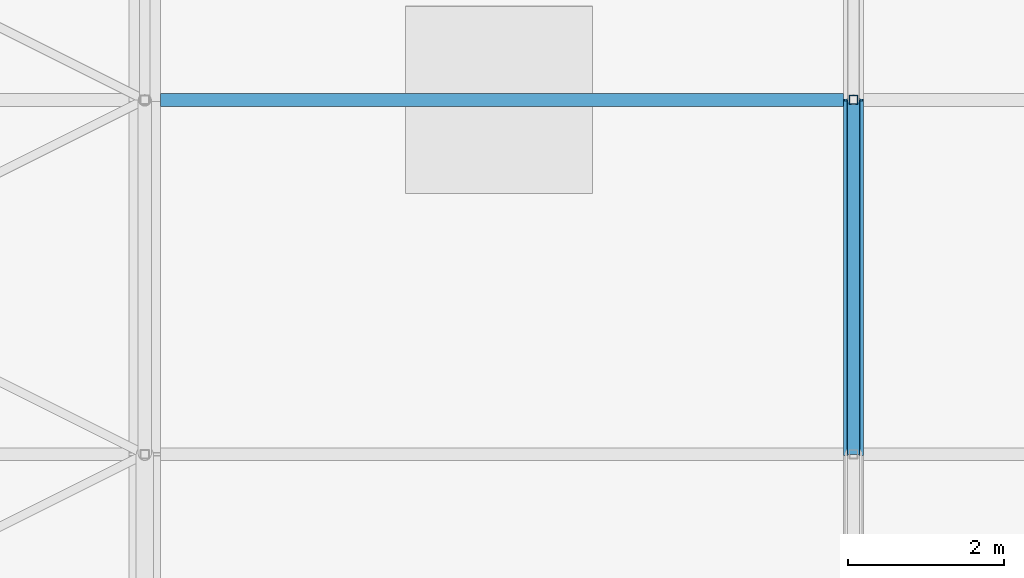
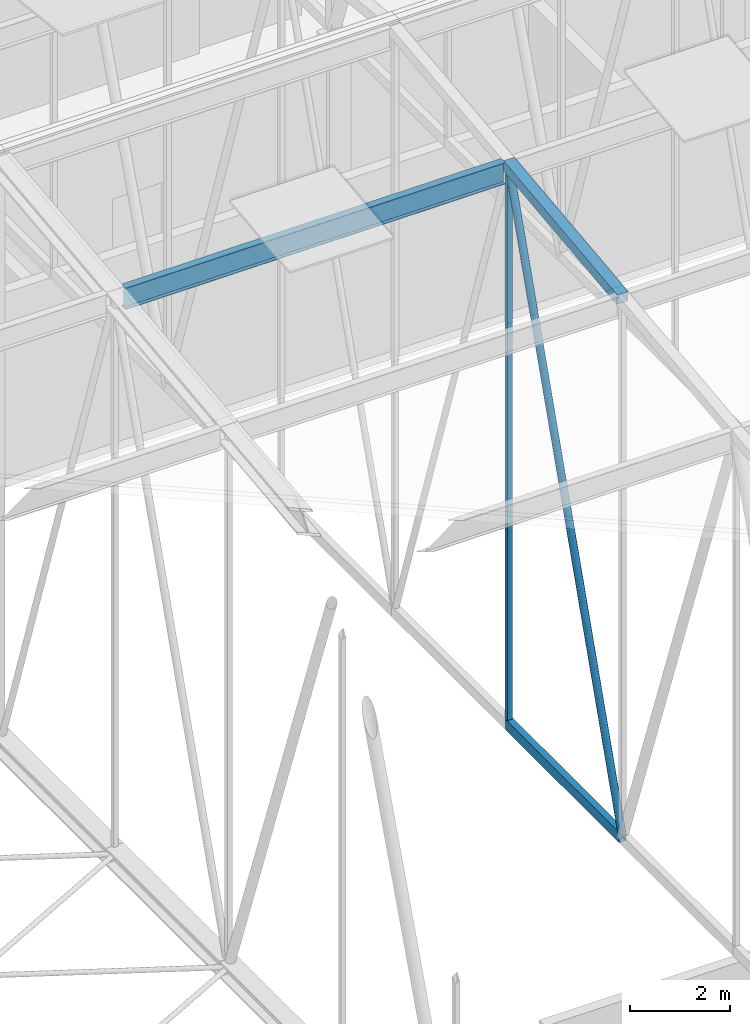
# One storey, part 163 of 500: 5 members.
"""IFC4 building model written with IfcOpenShell, lengths in metres."""

from ifc_helpers import new_model, si_unit, direction, frame, origin, origin_2d, place, context, subcontext, project, spatial, hollow_rectangle, hollow_circle, i_section, extrude, material, material_profile, profile_set, type_object, element, save


model = new_model("IFC4")

# Units and contexts
model_context = context("Model", 3, precision=1e-05, world=origin(), true_north=direction((0.0, 1.0)))
body_context = subcontext(model_context, "Body", "Model", "MODEL_VIEW")
ifc_project = project(units=[si_unit("LENGTHUNIT", "METRE"), si_unit("AREAUNIT", "SQUARE_METRE"), si_unit("VOLUMEUNIT", "CUBIC_METRE"), si_unit("PLANEANGLEUNIT", "RADIAN"), si_unit("MASSUNIT", "GRAM", prefix="KILO")], contexts=[model_context])

# Site, building, storey
site_placement = place(None, origin())
site = spatial("IfcSite", under=ifc_project, at=site_placement, CompositionType="ELEMENT")
building_placement = place(site_placement, origin())
building = spatial("IfcBuilding", under=site, at=building_placement, Name="Shirokan Park Arena", CompositionType="ELEMENT")
storey_placement = place(building_placement, frame((0.0, 0.0, 29.1201171875)))
storey = spatial("IfcBuildingStorey", under=building, at=storey_placement, Name="L06", CompositionType="ELEMENT", Elevation=29.1201171875)

# Members
ifc_material_1 = material(Name="Steel ASTM A500 Grade C", Category="steel")
ifc_material_profile_1 = material_profile(ifc_material_1, hollow_rectangle(XDim=0.152099609375, YDim=0.25390625, WallThickness=0.009521484375, at=origin_2d()), Name="HSS254X152.4X9.5")
ifc_profile_set_1 = profile_set([ifc_material_profile_1], Name="Steel ASTM A500 Grade C")
member_type_1 = type_object("IfcMemberType", Name="Bottom chord HSS254X152.4X9.5", PredefinedType="CHORD", material=ifc_profile_set_1)
member_1_placement = place(storey_placement, frame((109.199951171875, 45.5, 4.677001953125), z_axis=(0.0, 1.0, 0.0), x_axis=(-1.0, 0.0, 0.0)))
element("IfcMember", 1, at=member_1_placement, inside=storey, type_object=member_type_1, Name="Truss T13 bottom chord 13", PredefinedType="CHORD", context=body_context, shape_type="SweptSolid", body=[
    extrude(hollow_rectangle(XDim=0.152099609375, YDim=0.25390625, WallThickness=0.009521484375, at=origin_2d()), origin(), (0.0, 0.0, 1.0), 4.550048828125),
])
ifc_material_2 = material(Name="Steel ASTM A992", Category="steel")
ifc_material_profile_2 = material_profile(ifc_material_2, i_section(OverallWidth=0.166015625, OverallDepth=0.528076171875, WebThickness=0.009765625, FlangeThickness=0.013671875, at=origin_2d()), Name="W530X74")
ifc_profile_set_2 = profile_set([ifc_material_profile_2], Name="Steel ASTM A992")
member_type_2 = type_object("IfcMemberType", Name="Purlin W530X74", PredefinedType="PURLIN", material=ifc_profile_set_2)
member_2_placement = place(storey_placement, frame((100.302978515625, 50.050048828125, 18.205810546875), z_axis=(1.0, 0.0, 0.0), x_axis=(0.0, 1.0, 0.0)))
element("IfcMember", 2, at=member_2_placement, inside=storey, type_object=member_type_2, Name="Purlin 14 bay 12", PredefinedType="PURLIN", context=body_context, shape_type="SweptSolid", body=[
    extrude(i_section(OverallWidth=0.166015625, OverallDepth=0.528076171875, WebThickness=0.009765625, FlangeThickness=0.013671875, at=origin_2d()), origin(), (0.0, 0.0, 1.0), 8.77001953125),
])
ifc_material_profile_3 = material_profile(ifc_material_1, hollow_rectangle(XDim=0.25390625, YDim=0.25390625, WallThickness=0.009521484375, at=origin_2d()), Name="HSS254X254X9.5")
ifc_profile_set_3 = profile_set([ifc_material_profile_3], Name="Steel ASTM A500 Grade C")
member_type_3 = type_object("IfcMemberType", Name="Top chord HSS254X254X9.5", PredefinedType="CHORD", material=ifc_profile_set_3)
member_3_placement = place(storey_placement, frame((109.199951171875, 45.5, 17.822998046875), z_axis=(0.0, 0.993538341779, 0.113496975353), x_axis=(-1.0, 0.0, 0.0)))
element("IfcMember", 3, at=member_3_placement, inside=storey, type_object=member_type_3, Name="Truss T13 top chord 13", PredefinedType="CHORD", context=body_context, shape_type="SweptSolid", body=[
    extrude(hollow_rectangle(XDim=0.25390625, YDim=0.25390625, WallThickness=0.009521484375, at=origin_2d()), origin(), (0.0, 0.0, 1.0), 4.57958984375),
])
ifc_material_profile_4 = material_profile(ifc_material_1, hollow_circle(Radius=0.083984375, WallThickness=0.009521484375, at=origin_2d()), Name="HSS168.3X9.5")
ifc_profile_set_4 = profile_set([ifc_material_profile_4], Name="Steel ASTM A500 Grade C")
member_type_4 = type_object("IfcMemberType", Name="Truss diagonal HSS168.3X9.5", PredefinedType="BRACE", material=ifc_profile_set_4)
member_4_placement = place(storey_placement, frame((109.199951171875, 45.5, 4.677001953125), z_axis=(0.0, 0.315902302102, 0.948791723998), x_axis=(-1.0, 0.0, 0.0)))
element("IfcMember", 4, at=member_4_placement, inside=storey, type_object=member_type_4, Name="Truss T13 diagonal 13", PredefinedType="BRACE", context=body_context, shape_type="SweptSolid", body=[
    extrude(hollow_circle(Radius=0.083984375, WallThickness=0.009521484375, at=origin_2d()), origin(), (0.0, 0.0, 1.0), 14.4033203125),
])
ifc_material_profile_5 = material_profile(ifc_material_1, hollow_rectangle(XDim=0.114013671875, YDim=0.114013671875, WallThickness=0.00634765625, at=origin_2d()), Name="HSS114.3X114.3X6.4")
ifc_profile_set_5 = profile_set([ifc_material_profile_5], Name="Steel ASTM A500 Grade C")
member_type_5 = type_object("IfcMemberType", Name="Truss post HSS114.3X114.3X6.4", PredefinedType="POST", material=ifc_profile_set_5)
member_5_placement = place(storey_placement, frame((109.199951171875, 50.050048828125, 4.677001953125), z_axis=(0.0, 0.0, 1.0), x_axis=(1.0, 0.0, 0.0)))
element("IfcMember", 5, at=member_5_placement, inside=storey, type_object=member_type_5, Name="Truss T13 post 14", PredefinedType="POST", context=body_context, shape_type="SweptSolid", body=[
    extrude(hollow_rectangle(XDim=0.114013671875, YDim=0.114013671875, WallThickness=0.00634765625, at=origin_2d()), origin(), (0.0, 0.0, 1.0), 13.665771484375),
])

save(model, "model.ifc")
